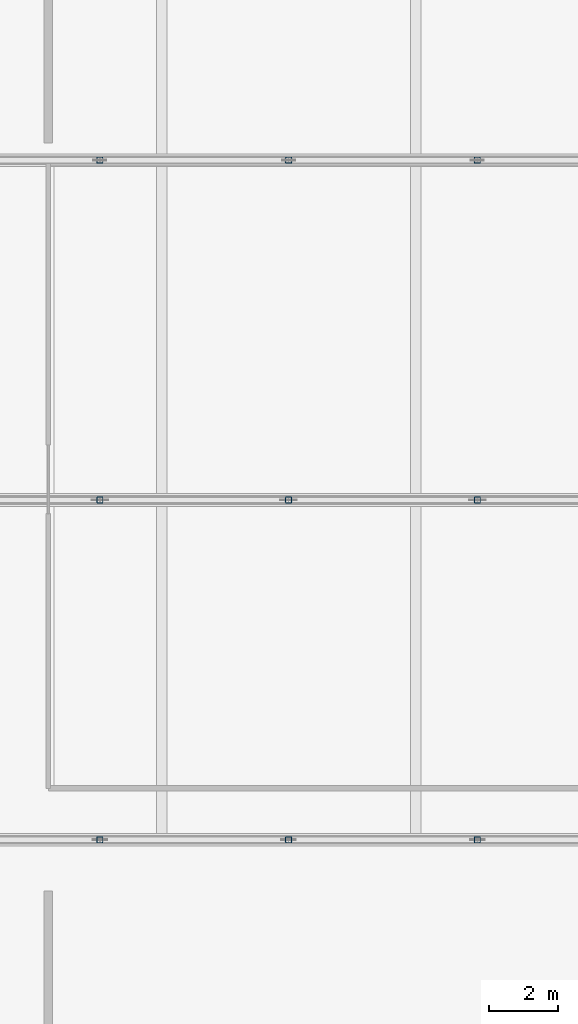
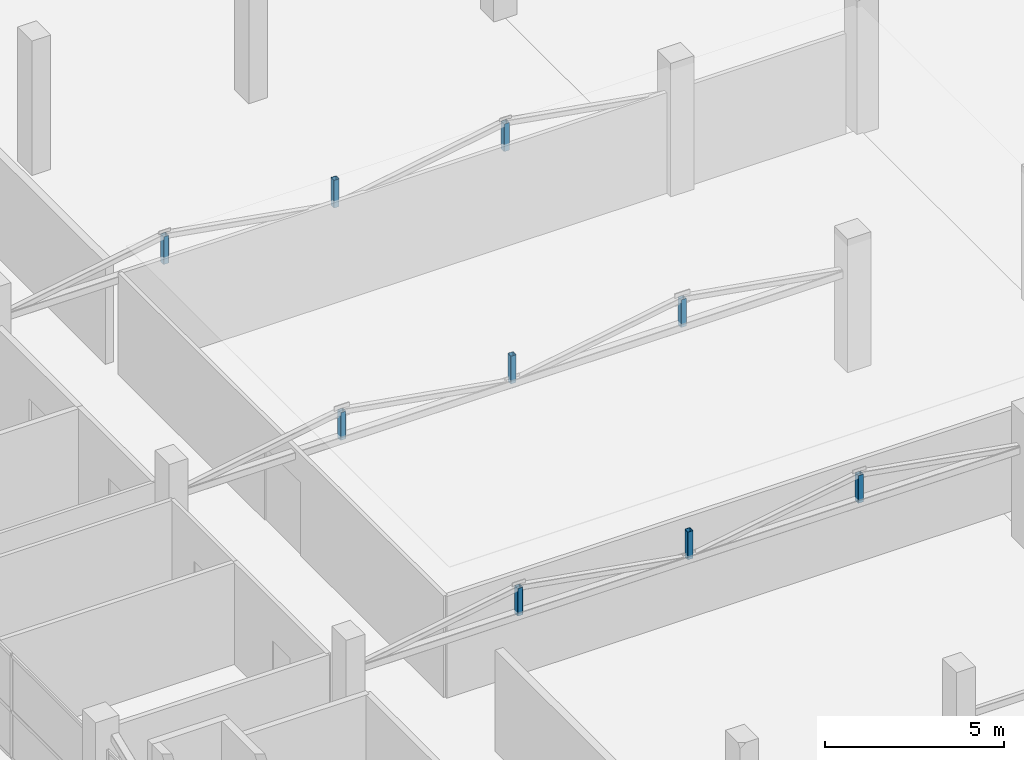
# One storey, part 37 of 58: 9 members.
"""IFC4 building model written with IfcOpenShell, lengths in metres."""

from ifc_helpers import new_model, si_unit, direction, frame, origin, origin_2d, place, context, subcontext, project, spatial, hollow_rectangle, extrude, material, material_profile, profile_set, type_object, element, save


model = new_model("IFC4")

# Units and contexts
model_context = context("Model", 3, precision=1e-05, world=origin(), true_north=direction((0.0, 1.0)))
body_context = subcontext(model_context, "Body", "Model", "MODEL_VIEW")
ifc_project = project(units=[si_unit("LENGTHUNIT", "METRE"), si_unit("AREAUNIT", "SQUARE_METRE"), si_unit("VOLUMEUNIT", "CUBIC_METRE"), si_unit("PLANEANGLEUNIT", "RADIAN"), si_unit("MASSUNIT", "GRAM", prefix="KILO")], contexts=[model_context])

# Site, building, storey
site_placement = place(None, origin())
site = spatial("IfcSite", under=ifc_project, at=site_placement, CompositionType="ELEMENT")
building_placement = place(site_placement, origin())
building = spatial("IfcBuilding", under=site, at=building_placement, Name="Sillaruma Civic Art Gallery", CompositionType="ELEMENT")
storey_placement = place(building_placement, frame((0.0, 0.0, 28.56005859375)))
storey = spatial("IfcBuildingStorey", under=building, at=storey_placement, Name="L05", CompositionType="ELEMENT", Elevation=28.56005859375)

# Members
ifc_material = material(Name="Structural Steel ASTM A500 Gr.C", Category="steel")
ifc_material_profile = material_profile(ifc_material, hollow_rectangle(XDim=0.179931640625, YDim=0.179931640625, WallThickness=0.010009765625, InnerFilletRadius=0.010009765625, OuterFilletRadius=0.02001953125, at=origin_2d()), Name="HSS180x180x10")
ifc_profile_set = profile_set([ifc_material_profile], Name="Structural Steel ASTM A500 Gr.C")
member_type = type_object("IfcMemberType", Name="MEM-POST-HSS180x180x10", PredefinedType="POST", material=ifc_profile_set)
for number, where, z_axis, x_axis, name in (
    (1, (75.5, 49.5, 3.224853515625), (0.0, 0.0, 1.0), (1.0, 0.0, 0.0), "Warren Truss Vertical Post TR-L05-1-V1"),
    (2, (81.0, 49.5, 3.224853515625), (0.0, 0.0, 1.0), (1.0, 0.0, 0.0), "Warren Truss Vertical Post TR-L05-1-V2"),
    (3, (86.5, 49.5, 3.224853515625), (0.0, 0.0, 1.0), (1.0, 0.0, 0.0), "Warren Truss Vertical Post TR-L05-1-V3"),
    (4, (75.5, 59.39990234375, 3.224853515625), (0.0, 0.0, 1.0), (1.0, 0.0, 0.0), "Warren Truss Vertical Post TR-L05-2-V1"),
    (5, (81.0, 59.39990234375, 3.224853515625), (0.0, 0.0, 1.0), (1.0, 0.0, 0.0), "Warren Truss Vertical Post TR-L05-2-V2"),
    (6, (86.5, 59.39990234375, 3.224853515625), (0.0, 0.0, 1.0), (1.0, 0.0, 0.0), "Warren Truss Vertical Post TR-L05-2-V3"),
    (7, (75.5, 69.300048828125, 3.224853515625), (0.0, 0.0, 1.0), (1.0, 0.0, 0.0), "Warren Truss Vertical Post TR-L05-3-V1"),
    (8, (81.0, 69.300048828125, 3.224853515625), (0.0, 0.0, 1.0), (1.0, 0.0, 0.0), "Warren Truss Vertical Post TR-L05-3-V2"),
    (9, (86.5, 69.300048828125, 3.224853515625), (0.0, 0.0, 1.0), (1.0, 0.0, 0.0), "Warren Truss Vertical Post TR-L05-3-V3"),
):
    element("IfcMember", number, at=place(storey_placement, frame(where, z_axis=z_axis, x_axis=x_axis)), inside=storey, type_object=member_type, Name=name, PredefinedType="POST", context=body_context, shape_type="SweptSolid", body=[
        extrude(hollow_rectangle(XDim=0.179931640625, YDim=0.179931640625, WallThickness=0.010009765625, InnerFilletRadius=0.010009765625, OuterFilletRadius=0.02001953125, at=origin_2d()), origin(), (0.0, 0.0, 1.0), 0.943115234375),
    ])

save(model, "model.ifc")
